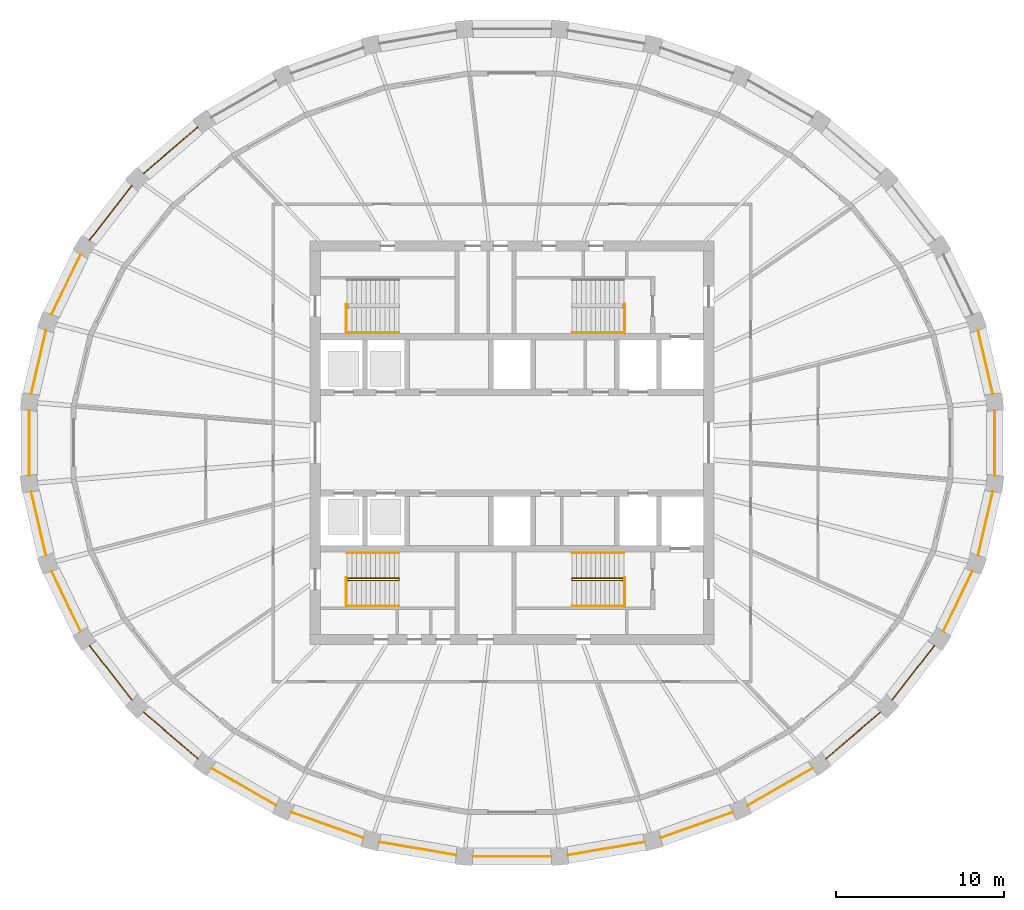
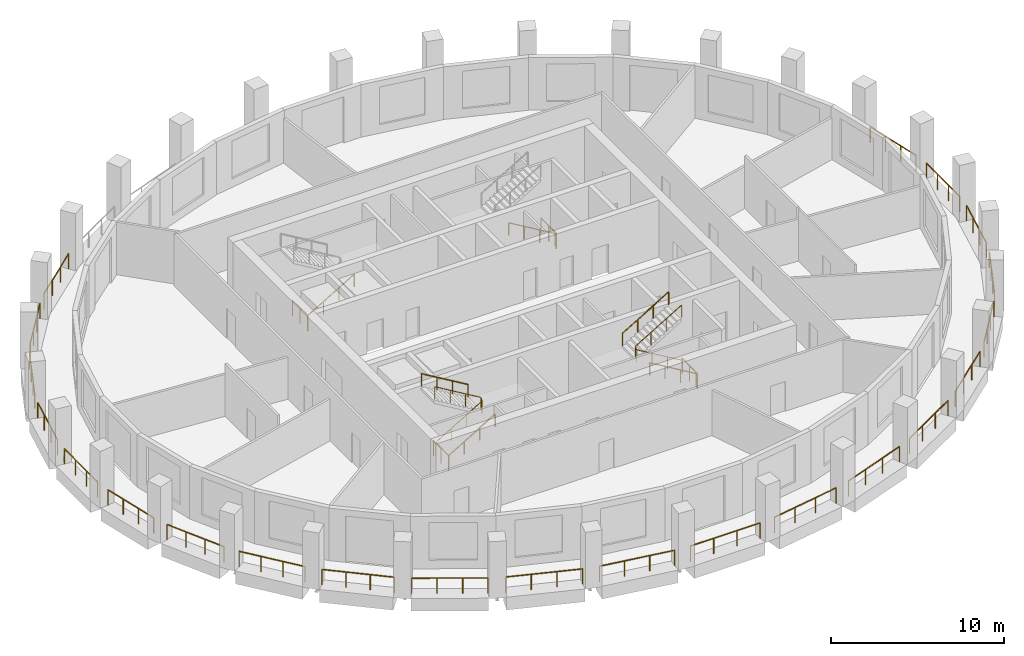
# One storey, part 8 of 10: 34 railings.
"""IFC4 building model written with IfcOpenShell, lengths in metres."""

from ifc_helpers import new_model, si_unit, direction, frame, origin, origin_2d, place, context, subcontext, project, spatial, circle, extrude, material, type_object, element, save


model = new_model("IFC4")

# Units and contexts
model_context = context("Model", 3, precision=1e-05, world=origin(), true_north=direction((0.0, 1.0)))
body_context = subcontext(model_context, "Body", "Model", "MODEL_VIEW")
ifc_project = project(units=[si_unit("LENGTHUNIT", "METRE"), si_unit("AREAUNIT", "SQUARE_METRE"), si_unit("VOLUMEUNIT", "CUBIC_METRE"), si_unit("PLANEANGLEUNIT", "RADIAN"), si_unit("MASSUNIT", "GRAM", prefix="KILO")], contexts=[model_context])

# Site, building, storey
site_placement = place(None, origin())
site = spatial("IfcSite", under=ifc_project, at=site_placement, CompositionType="ELEMENT")
building_placement = place(site_placement, origin())
building = spatial("IfcBuilding", under=site, at=building_placement, Name="Halqa Exchange Tower", CompositionType="ELEMENT")
storey_placement = place(building_placement, frame((0.0, 0.0, 308.300048828125)))
storey = spatial("IfcBuildingStorey", under=building, at=storey_placement, Name="L72", CompositionType="ELEMENT", Elevation=308.300048828125)

# Railings
ifc_material = material(Name="Stainless steel", Category="steel")
railing_type_1 = type_object("IfcRailingType", Name="Guard 1100 stainless steel", PredefinedType="GUARDRAIL", material=ifc_material)
railing_1_placement = place(storey_placement, frame((28.590087890625, 2.910400390625, 0.0)))
element("IfcRailing", 1, at=railing_1_placement, inside=storey, type_object=railing_type_1, Name="Loggia guard 1", PredefinedType="GUARDRAIL", context=body_context, shape_type="SweptSolid", body=[
    extrude(circle(Radius=0.02392578125, at=origin_2d()), frame((0.0, 0.0, 1.076171875), z_axis=(-0.226063591291, 0.974112546215, 0.0), x_axis=(-0.974112546215, -0.226063591291, 0.0)), (0.0, 0.0, 1.0), 3.879150390625),
    extrude(circle(Radius=0.02099609375, at=origin_2d()), origin(), (0.0, 0.0, 1.0), 1.052001953125),
    extrude(circle(Radius=0.02099609375, at=origin_2d()), frame((-0.292236328125, 1.259521484375, 0.0)), (0.0, 0.0, 1.0), 1.052001953125),
    extrude(circle(Radius=0.02099609375, at=origin_2d()), frame((-0.584716796875, 2.519287109375, 0.0)), (0.0, 0.0, 1.0), 1.052001953125),
    extrude(circle(Radius=0.02099609375, at=origin_2d()), frame((-0.876953125, 3.77880859375, 0.0)), (0.0, 0.0, 1.0), 1.052001953125),
])
railing_2_placement = place(storey_placement, frame((-18.6767578125, 18.784912109375, 0.0)))
element("IfcRailing", 2, at=railing_2_placement, inside=storey, type_object=railing_type_1, Name="Loggia guard 12", PredefinedType="GUARDRAIL", context=body_context, shape_type="SweptSolid", body=[
    extrude(circle(Radius=0.02392578125, at=origin_2d()), frame((0.0, 0.0, 1.076171875), z_axis=(-0.759252562376, -0.650796086747, 0.0), x_axis=(0.650796086747, -0.759252562376, 0.0)), (0.0, 0.0, 1.0), 4.265625),
    extrude(circle(Radius=0.02099609375, at=origin_2d()), origin(), (0.0, 0.0, 1.0), 1.052001953125),
    extrude(circle(Radius=0.02099609375, at=origin_2d()), frame((-1.07958984375, -0.92529296875, 0.0)), (0.0, 0.0, 1.0), 1.052001953125),
    extrude(circle(Radius=0.02099609375, at=origin_2d()), frame((-2.1591796875, -1.850830078125, 0.0)), (0.0, 0.0, 1.0), 1.052001953125),
    extrude(circle(Radius=0.02099609375, at=origin_2d()), frame((-3.23876953125, -2.776123046875, 0.0)), (0.0, 0.0, 1.0), 1.052001953125),
])
railing_3_placement = place(storey_placement, frame((-22.6025390625, 15.2890625, 0.0)))
element("IfcRailing", 3, at=railing_3_placement, inside=storey, type_object=railing_type_1, Name="Loggia guard 13", PredefinedType="GUARDRAIL", context=body_context, shape_type="SweptSolid", body=[
    extrude(circle(Radius=0.02392578125, at=origin_2d()), frame((0.0, 0.0, 1.076171875), z_axis=(-0.614828624777, -0.78866073958, 0.0), x_axis=(0.78866073958, -0.614828624777, 0.0)), (0.0, 0.0, 1.0), 4.109375),
    extrude(circle(Radius=0.02099609375, at=origin_2d()), origin(), (0.0, 0.0, 1.0), 1.052001953125),
    extrude(circle(Radius=0.02099609375, at=origin_2d()), frame((-0.84228515625, -1.080322265625, 0.0)), (0.0, 0.0, 1.0), 1.052001953125),
    extrude(circle(Radius=0.02099609375, at=origin_2d()), frame((-1.684326171875, -2.16064453125, 0.0)), (0.0, 0.0, 1.0), 1.052001953125),
    extrude(circle(Radius=0.02099609375, at=origin_2d()), frame((-2.526611328125, -3.240966796875, 0.0)), (0.0, 0.0, 1.0), 1.052001953125),
])
railing_4_placement = place(storey_placement, frame((-25.654052734375, 11.20361328125, 0.0)))
element("IfcRailing", 4, at=railing_4_placement, inside=storey, type_object=railing_type_1, Name="Loggia guard 14", PredefinedType="GUARDRAIL", context=body_context, shape_type="SweptSolid", body=[
    extrude(circle(Radius=0.02392578125, at=origin_2d()), frame((0.0, 0.0, 1.076171875), z_axis=(-0.435103066542, -0.90038065366, 0.0), x_axis=(0.90038065366, -0.435103066542, 0.0)), (0.0, 0.0, 1.0), 3.97265625),
    extrude(circle(Radius=0.02099609375, at=origin_2d()), origin(), (0.0, 0.0, 1.0), 1.052001953125),
    extrude(circle(Radius=0.02099609375, at=origin_2d()), frame((-0.576171875, -1.1923828125, 0.0)), (0.0, 0.0, 1.0), 1.052001953125),
    extrude(circle(Radius=0.02099609375, at=origin_2d()), frame((-1.15234375, -2.384521484375, 0.0)), (0.0, 0.0, 1.0), 1.052001953125),
    extrude(circle(Radius=0.02099609375, at=origin_2d()), frame((-1.728515625, -3.576904296875, 0.0)), (0.0, 0.0, 1.0), 1.052001953125),
])
railing_5_placement = place(storey_placement, frame((-27.713134765625, 6.689208984375, 0.0)))
element("IfcRailing", 5, at=railing_5_placement, inside=storey, type_object=railing_type_1, Name="Loggia guard 15", PredefinedType="GUARDRAIL", context=body_context, shape_type="SweptSolid", body=[
    extrude(circle(Radius=0.02392578125, at=origin_2d()), frame((0.0, 0.0, 1.076171875), z_axis=(-0.226063591291, -0.974112546215, 0.0), x_axis=(0.974112546215, -0.226063591291, 0.0)), (0.0, 0.0, 1.0), 3.879150390625),
    extrude(circle(Radius=0.02099609375, at=origin_2d()), origin(), (0.0, 0.0, 1.0), 1.052001953125),
    extrude(circle(Radius=0.02099609375, at=origin_2d()), frame((-0.292236328125, -1.259521484375, 0.0)), (0.0, 0.0, 1.0), 1.052001953125),
    extrude(circle(Radius=0.02099609375, at=origin_2d()), frame((-0.584716796875, -2.519287109375, 0.0)), (0.0, 0.0, 1.0), 1.052001953125),
    extrude(circle(Radius=0.02099609375, at=origin_2d()), frame((-0.876953125, -3.77880859375, 0.0)), (0.0, 0.0, 1.0), 1.052001953125),
])
railing_6_placement = place(storey_placement, frame((-28.703125, 1.923095703125, 0.0)))
element("IfcRailing", 6, at=railing_6_placement, inside=storey, type_object=railing_type_1, Name="Loggia guard 16", PredefinedType="GUARDRAIL", context=body_context, shape_type="SweptSolid", body=[
    extrude(circle(Radius=0.02392578125, at=origin_2d()), frame((0.0, 0.0, 1.076171875), z_axis=(0.0, -1.0, 0.0), x_axis=(1.0, 0.0, 0.0)), (0.0, 0.0, 1.0), 3.84619140625),
    extrude(circle(Radius=0.02099609375, at=origin_2d()), origin(), (0.0, 0.0, 1.0), 1.052001953125),
    extrude(circle(Radius=0.02099609375, at=origin_2d()), frame((0.0, -1.281982421875, 0.0)), (0.0, 0.0, 1.0), 1.052001953125),
    extrude(circle(Radius=0.02099609375, at=origin_2d()), frame((0.0, -2.564208984375, 0.0)), (0.0, 0.0, 1.0), 1.052001953125),
    extrude(circle(Radius=0.02099609375, at=origin_2d()), frame((0.0, -3.84619140625, 0.0)), (0.0, 0.0, 1.0), 1.052001953125),
])
railing_7_placement = place(storey_placement, frame((-28.590087890625, -2.910400390625, 0.0)))
element("IfcRailing", 7, at=railing_7_placement, inside=storey, type_object=railing_type_1, Name="Loggia guard 17", PredefinedType="GUARDRAIL", context=body_context, shape_type="SweptSolid", body=[
    extrude(circle(Radius=0.02392578125, at=origin_2d()), frame((0.0, 0.0, 1.076171875), z_axis=(0.226063591291, -0.974112546215, 0.0), x_axis=(0.974112546215, 0.226063591291, 0.0)), (0.0, 0.0, 1.0), 3.879150390625),
    extrude(circle(Radius=0.02099609375, at=origin_2d()), origin(), (0.0, 0.0, 1.0), 1.052001953125),
    extrude(circle(Radius=0.02099609375, at=origin_2d()), frame((0.292236328125, -1.259521484375, 0.0)), (0.0, 0.0, 1.0), 1.052001953125),
    extrude(circle(Radius=0.02099609375, at=origin_2d()), frame((0.584716796875, -2.519287109375, 0.0)), (0.0, 0.0, 1.0), 1.052001953125),
    extrude(circle(Radius=0.02099609375, at=origin_2d()), frame((0.876953125, -3.77880859375, 0.0)), (0.0, 0.0, 1.0), 1.052001953125),
])
railing_8_placement = place(storey_placement, frame((-27.382568359375, -7.626708984375, 0.0)))
element("IfcRailing", 8, at=railing_8_placement, inside=storey, type_object=railing_type_1, Name="Loggia guard 18", PredefinedType="GUARDRAIL", context=body_context, shape_type="SweptSolid", body=[
    extrude(circle(Radius=0.02392578125, at=origin_2d()), frame((0.0, 0.0, 1.076171875), z_axis=(0.435103066542, -0.90038065366, 0.0), x_axis=(0.90038065366, 0.435103066542, 0.0)), (0.0, 0.0, 1.0), 3.97265625),
    extrude(circle(Radius=0.02099609375, at=origin_2d()), origin(), (0.0, 0.0, 1.0), 1.052001953125),
    extrude(circle(Radius=0.02099609375, at=origin_2d()), frame((0.576171875, -1.1923828125, 0.0)), (0.0, 0.0, 1.0), 1.052001953125),
    extrude(circle(Radius=0.02099609375, at=origin_2d()), frame((1.15234375, -2.384521484375, 0.0)), (0.0, 0.0, 1.0), 1.052001953125),
    extrude(circle(Radius=0.02099609375, at=origin_2d()), frame((1.728515625, -3.576904296875, 0.0)), (0.0, 0.0, 1.0), 1.052001953125),
])
railing_9_placement = place(storey_placement, frame((-25.129150390625, -12.048095703125, 0.0)))
element("IfcRailing", 9, at=railing_9_placement, inside=storey, type_object=railing_type_1, Name="Loggia guard 19", PredefinedType="GUARDRAIL", context=body_context, shape_type="SweptSolid", body=[
    extrude(circle(Radius=0.02392578125, at=origin_2d()), frame((0.0, 0.0, 1.076171875), z_axis=(0.614828624777, -0.78866073958, 0.0), x_axis=(0.78866073958, 0.614828624777, 0.0)), (0.0, 0.0, 1.0), 4.109375),
    extrude(circle(Radius=0.02099609375, at=origin_2d()), origin(), (0.0, 0.0, 1.0), 1.052001953125),
    extrude(circle(Radius=0.02099609375, at=origin_2d()), frame((0.84228515625, -1.080322265625, 0.0)), (0.0, 0.0, 1.0), 1.052001953125),
    extrude(circle(Radius=0.02099609375, at=origin_2d()), frame((1.684326171875, -2.16064453125, 0.0)), (0.0, 0.0, 1.0), 1.052001953125),
    extrude(circle(Radius=0.02099609375, at=origin_2d()), frame((2.526611328125, -3.240966796875, 0.0)), (0.0, 0.0, 1.0), 1.052001953125),
])
railing_10_placement = place(storey_placement, frame((-21.91552734375, -16.0087890625, 0.0)))
element("IfcRailing", 10, at=railing_10_placement, inside=storey, type_object=railing_type_1, Name="Loggia guard 20", PredefinedType="GUARDRAIL", context=body_context, shape_type="SweptSolid", body=[
    extrude(circle(Radius=0.02392578125, at=origin_2d()), frame((0.0, 0.0, 1.076171875), z_axis=(0.759252562376, -0.650796086747, 0.0), x_axis=(0.650796086747, 0.759252562376, 0.0)), (0.0, 0.0, 1.0), 4.265625),
    extrude(circle(Radius=0.02099609375, at=origin_2d()), origin(), (0.0, 0.0, 1.0), 1.052001953125),
    extrude(circle(Radius=0.02099609375, at=origin_2d()), frame((1.07958984375, -0.92529296875, 0.0)), (0.0, 0.0, 1.0), 1.052001953125),
    extrude(circle(Radius=0.02099609375, at=origin_2d()), frame((2.1591796875, -1.850830078125, 0.0)), (0.0, 0.0, 1.0), 1.052001953125),
    extrude(circle(Radius=0.02099609375, at=origin_2d()), frame((3.23876953125, -2.776123046875, 0.0)), (0.0, 0.0, 1.0), 1.052001953125),
])
railing_11_placement = place(storey_placement, frame((-17.86328125, -19.358642578125, 0.0)))
element("IfcRailing", 11, at=railing_11_placement, inside=storey, type_object=railing_type_1, Name="Loggia guard 21", PredefinedType="GUARDRAIL", context=body_context, shape_type="SweptSolid", body=[
    extrude(circle(Radius=0.02392578125, at=origin_2d()), frame((0.0, 0.0, 1.076171875), z_axis=(0.867742750066, -0.49701360113, 0.0), x_axis=(0.49701360113, 0.867742750066, 0.0)), (0.0, 0.0, 1.0), 4.41748046875),
    extrude(circle(Radius=0.02099609375, at=origin_2d()), origin(), (0.0, 0.0, 1.0), 1.052001953125),
    extrude(circle(Radius=0.02099609375, at=origin_2d()), frame((1.27783203125, -0.73193359375, 0.0)), (0.0, 0.0, 1.0), 1.052001953125),
    extrude(circle(Radius=0.02099609375, at=origin_2d()), frame((2.555419921875, -1.463623046875, 0.0)), (0.0, 0.0, 1.0), 1.052001953125),
    extrude(circle(Radius=0.02099609375, at=origin_2d()), frame((3.833251953125, -2.195556640625, 0.0)), (0.0, 0.0, 1.0), 1.052001953125),
])
railing_12_placement = place(storey_placement, frame((-13.125, -21.969970703125, 0.0)))
element("IfcRailing", 12, at=railing_12_placement, inside=storey, type_object=railing_type_1, Name="Loggia guard 22", PredefinedType="GUARDRAIL", context=body_context, shape_type="SweptSolid", body=[
    extrude(circle(Radius=0.02392578125, at=origin_2d()), frame((0.0, 0.0, 1.076171875), z_axis=(0.9423736492, -0.334562259219, 0.0), x_axis=(0.334562259219, 0.9423736492, 0.0)), (0.0, 0.0, 1.0), 4.543212890625),
    extrude(circle(Radius=0.02099609375, at=origin_2d()), origin(), (0.0, 0.0, 1.0), 1.052001953125),
    extrude(circle(Radius=0.02099609375, at=origin_2d()), frame((1.42724609375, -0.506591796875, 0.0)), (0.0, 0.0, 1.0), 1.052001953125),
    extrude(circle(Radius=0.02099609375, at=origin_2d()), frame((2.854248046875, -1.013427734375, 0.0)), (0.0, 0.0, 1.0), 1.052001953125),
    extrude(circle(Radius=0.02099609375, at=origin_2d()), frame((4.281494140625, -1.52001953125, 0.0)), (0.0, 0.0, 1.0), 1.052001953125),
])
railing_13_placement = place(storey_placement, frame((-7.87939453125, -23.7412109375, 0.0)))
element("IfcRailing", 13, at=railing_13_placement, inside=storey, type_object=railing_type_1, Name="Loggia guard 23", PredefinedType="GUARDRAIL", context=body_context, shape_type="SweptSolid", body=[
    extrude(circle(Radius=0.02392578125, at=origin_2d()), frame((0.0, 0.0, 1.076171875), z_axis=(0.985767803326, -0.168112575155, 0.0), x_axis=(0.168112575155, 0.985767803326, 0.0)), (0.0, 0.0, 1.0), 4.62548828125),
    extrude(circle(Radius=0.02099609375, at=origin_2d()), origin(), (0.0, 0.0, 1.0), 1.052001953125),
    extrude(circle(Radius=0.02099609375, at=origin_2d()), frame((1.519775390625, -0.25927734375, 0.0)), (0.0, 0.0, 1.0), 1.052001953125),
    extrude(circle(Radius=0.02099609375, at=origin_2d()), frame((3.039794921875, -0.518310546875, 0.0)), (0.0, 0.0, 1.0), 1.052001953125),
    extrude(circle(Radius=0.02099609375, at=origin_2d()), frame((4.5595703125, -0.777587890625, 0.0)), (0.0, 0.0, 1.0), 1.052001953125),
])
railing_14_placement = place(storey_placement, frame((-2.326904296875, -24.602783203125, 0.0)))
element("IfcRailing", 14, at=railing_14_placement, inside=storey, type_object=railing_type_1, Name="Loggia guard 24", PredefinedType="GUARDRAIL", context=body_context, shape_type="SweptSolid", body=[
    extrude(circle(Radius=0.02392578125, at=origin_2d()), frame((0.0, 0.0, 1.076171875), z_axis=(1.0, 0.0, 0.0), x_axis=(0.0, 1.0, 0.0)), (0.0, 0.0, 1.0), 4.65380859375),
    extrude(circle(Radius=0.02099609375, at=origin_2d()), origin(), (0.0, 0.0, 1.0), 1.052001953125),
    extrude(circle(Radius=0.02099609375, at=origin_2d()), frame((1.55126953125, 0.0, 0.0)), (0.0, 0.0, 1.0), 1.052001953125),
    extrude(circle(Radius=0.02099609375, at=origin_2d()), frame((3.1025390625, 0.0, 0.0)), (0.0, 0.0, 1.0), 1.052001953125),
    extrude(circle(Radius=0.02099609375, at=origin_2d()), frame((4.65380859375, 0.0, 0.0)), (0.0, 0.0, 1.0), 1.052001953125),
])
railing_15_placement = place(storey_placement, frame((3.31982421875, -24.518798828125, 0.0)))
element("IfcRailing", 15, at=railing_15_placement, inside=storey, type_object=railing_type_1, Name="Loggia guard 25", PredefinedType="GUARDRAIL", context=body_context, shape_type="SweptSolid", body=[
    extrude(circle(Radius=0.02392578125, at=origin_2d()), frame((0.0, 0.0, 1.076171875), z_axis=(0.985767803326, 0.168112575155, 0.0), x_axis=(-0.168112575155, 0.985767803326, 0.0)), (0.0, 0.0, 1.0), 4.62548828125),
    extrude(circle(Radius=0.02099609375, at=origin_2d()), origin(), (0.0, 0.0, 1.0), 1.052001953125),
    extrude(circle(Radius=0.02099609375, at=origin_2d()), frame((1.519775390625, 0.25927734375, 0.0)), (0.0, 0.0, 1.0), 1.052001953125),
    extrude(circle(Radius=0.02099609375, at=origin_2d()), frame((3.039794921875, 0.518310546875, 0.0)), (0.0, 0.0, 1.0), 1.052001953125),
    extrude(circle(Radius=0.02099609375, at=origin_2d()), frame((4.5595703125, 0.777587890625, 0.0)), (0.0, 0.0, 1.0), 1.052001953125),
])
railing_16_placement = place(storey_placement, frame((8.843505859375, -23.489990234375, 0.0)))
element("IfcRailing", 16, at=railing_16_placement, inside=storey, type_object=railing_type_1, Name="Loggia guard 26", PredefinedType="GUARDRAIL", context=body_context, shape_type="SweptSolid", body=[
    extrude(circle(Radius=0.02392578125, at=origin_2d()), frame((0.0, 0.0, 1.076171875), z_axis=(0.9423736492, 0.334562259219, 0.0), x_axis=(-0.334562259219, 0.9423736492, 0.0)), (0.0, 0.0, 1.0), 4.543212890625),
    extrude(circle(Radius=0.02099609375, at=origin_2d()), origin(), (0.0, 0.0, 1.0), 1.052001953125),
    extrude(circle(Radius=0.02099609375, at=origin_2d()), frame((1.42724609375, 0.506591796875, 0.0)), (0.0, 0.0, 1.0), 1.052001953125),
    extrude(circle(Radius=0.02099609375, at=origin_2d()), frame((2.854248046875, 1.013427734375, 0.0)), (0.0, 0.0, 1.0), 1.052001953125),
    extrude(circle(Radius=0.02099609375, at=origin_2d()), frame((4.281494140625, 1.52001953125, 0.0)), (0.0, 0.0, 1.0), 1.052001953125),
])
railing_17_placement = place(storey_placement, frame((14.030029296875, -21.55419921875, 0.0)))
element("IfcRailing", 17, at=railing_17_placement, inside=storey, type_object=railing_type_1, Name="Loggia guard 27", PredefinedType="GUARDRAIL", context=body_context, shape_type="SweptSolid", body=[
    extrude(circle(Radius=0.02392578125, at=origin_2d()), frame((0.0, 0.0, 1.076171875), z_axis=(0.867742750066, 0.49701360113, 0.0), x_axis=(-0.49701360113, 0.867742750066, 0.0)), (0.0, 0.0, 1.0), 4.41748046875),
    extrude(circle(Radius=0.02099609375, at=origin_2d()), origin(), (0.0, 0.0, 1.0), 1.052001953125),
    extrude(circle(Radius=0.02099609375, at=origin_2d()), frame((1.27783203125, 0.73193359375, 0.0)), (0.0, 0.0, 1.0), 1.052001953125),
    extrude(circle(Radius=0.02099609375, at=origin_2d()), frame((2.555419921875, 1.463623046875, 0.0)), (0.0, 0.0, 1.0), 1.052001953125),
    extrude(circle(Radius=0.02099609375, at=origin_2d()), frame((3.833251953125, 2.195556640625, 0.0)), (0.0, 0.0, 1.0), 1.052001953125),
])
railing_18_placement = place(storey_placement, frame((18.6767578125, -18.784912109375, 0.0)))
element("IfcRailing", 18, at=railing_18_placement, inside=storey, type_object=railing_type_1, Name="Loggia guard 28", PredefinedType="GUARDRAIL", context=body_context, shape_type="SweptSolid", body=[
    extrude(circle(Radius=0.02392578125, at=origin_2d()), frame((0.0, 0.0, 1.076171875), z_axis=(0.759252562376, 0.650796086747, 0.0), x_axis=(-0.650796086747, 0.759252562376, 0.0)), (0.0, 0.0, 1.0), 4.265625),
    extrude(circle(Radius=0.02099609375, at=origin_2d()), origin(), (0.0, 0.0, 1.0), 1.052001953125),
    extrude(circle(Radius=0.02099609375, at=origin_2d()), frame((1.07958984375, 0.92529296875, 0.0)), (0.0, 0.0, 1.0), 1.052001953125),
    extrude(circle(Radius=0.02099609375, at=origin_2d()), frame((2.1591796875, 1.850830078125, 0.0)), (0.0, 0.0, 1.0), 1.052001953125),
    extrude(circle(Radius=0.02099609375, at=origin_2d()), frame((3.23876953125, 2.776123046875, 0.0)), (0.0, 0.0, 1.0), 1.052001953125),
])
railing_19_placement = place(storey_placement, frame((22.6025390625, -15.2890625, 0.0)))
element("IfcRailing", 19, at=railing_19_placement, inside=storey, type_object=railing_type_1, Name="Loggia guard 29", PredefinedType="GUARDRAIL", context=body_context, shape_type="SweptSolid", body=[
    extrude(circle(Radius=0.02392578125, at=origin_2d()), frame((0.0, 0.0, 1.076171875), z_axis=(0.614828624777, 0.78866073958, 0.0), x_axis=(-0.78866073958, 0.614828624777, 0.0)), (0.0, 0.0, 1.0), 4.109375),
    extrude(circle(Radius=0.02099609375, at=origin_2d()), origin(), (0.0, 0.0, 1.0), 1.052001953125),
    extrude(circle(Radius=0.02099609375, at=origin_2d()), frame((0.84228515625, 1.080322265625, 0.0)), (0.0, 0.0, 1.0), 1.052001953125),
    extrude(circle(Radius=0.02099609375, at=origin_2d()), frame((1.684326171875, 2.16064453125, 0.0)), (0.0, 0.0, 1.0), 1.052001953125),
    extrude(circle(Radius=0.02099609375, at=origin_2d()), frame((2.526611328125, 3.240966796875, 0.0)), (0.0, 0.0, 1.0), 1.052001953125),
])
railing_20_placement = place(storey_placement, frame((25.654052734375, -11.20361328125, 0.0)))
element("IfcRailing", 20, at=railing_20_placement, inside=storey, type_object=railing_type_1, Name="Loggia guard 30", PredefinedType="GUARDRAIL", context=body_context, shape_type="SweptSolid", body=[
    extrude(circle(Radius=0.02392578125, at=origin_2d()), frame((0.0, 0.0, 1.076171875), z_axis=(0.435103066542, 0.90038065366, 0.0), x_axis=(-0.90038065366, 0.435103066542, 0.0)), (0.0, 0.0, 1.0), 3.97265625),
    extrude(circle(Radius=0.02099609375, at=origin_2d()), origin(), (0.0, 0.0, 1.0), 1.052001953125),
    extrude(circle(Radius=0.02099609375, at=origin_2d()), frame((0.576171875, 1.1923828125, 0.0)), (0.0, 0.0, 1.0), 1.052001953125),
    extrude(circle(Radius=0.02099609375, at=origin_2d()), frame((1.15234375, 2.384521484375, 0.0)), (0.0, 0.0, 1.0), 1.052001953125),
    extrude(circle(Radius=0.02099609375, at=origin_2d()), frame((1.728515625, 3.576904296875, 0.0)), (0.0, 0.0, 1.0), 1.052001953125),
])
railing_21_placement = place(storey_placement, frame((27.713134765625, -6.689208984375, 0.0)))
element("IfcRailing", 21, at=railing_21_placement, inside=storey, type_object=railing_type_1, Name="Loggia guard 31", PredefinedType="GUARDRAIL", context=body_context, shape_type="SweptSolid", body=[
    extrude(circle(Radius=0.02392578125, at=origin_2d()), frame((0.0, 0.0, 1.076171875), z_axis=(0.226063591291, 0.974112546215, 0.0), x_axis=(-0.974112546215, 0.226063591291, 0.0)), (0.0, 0.0, 1.0), 3.879150390625),
    extrude(circle(Radius=0.02099609375, at=origin_2d()), origin(), (0.0, 0.0, 1.0), 1.052001953125),
    extrude(circle(Radius=0.02099609375, at=origin_2d()), frame((0.292236328125, 1.259521484375, 0.0)), (0.0, 0.0, 1.0), 1.052001953125),
    extrude(circle(Radius=0.02099609375, at=origin_2d()), frame((0.584716796875, 2.519287109375, 0.0)), (0.0, 0.0, 1.0), 1.052001953125),
    extrude(circle(Radius=0.02099609375, at=origin_2d()), frame((0.876953125, 3.77880859375, 0.0)), (0.0, 0.0, 1.0), 1.052001953125),
])
railing_22_placement = place(storey_placement, frame((28.703125, -1.923095703125, 0.0)))
element("IfcRailing", 22, at=railing_22_placement, inside=storey, type_object=railing_type_1, Name="Loggia guard 32", PredefinedType="GUARDRAIL", context=body_context, shape_type="SweptSolid", body=[
    extrude(circle(Radius=0.02392578125, at=origin_2d()), frame((0.0, 0.0, 1.076171875), z_axis=(0.0, 1.0, 0.0), x_axis=(-1.0, 0.0, 0.0)), (0.0, 0.0, 1.0), 3.84619140625),
    extrude(circle(Radius=0.02099609375, at=origin_2d()), origin(), (0.0, 0.0, 1.0), 1.052001953125),
    extrude(circle(Radius=0.02099609375, at=origin_2d()), frame((0.0, 1.281982421875, 0.0)), (0.0, 0.0, 1.0), 1.052001953125),
    extrude(circle(Radius=0.02099609375, at=origin_2d()), frame((0.0, 2.564208984375, 0.0)), (0.0, 0.0, 1.0), 1.052001953125),
    extrude(circle(Radius=0.02099609375, at=origin_2d()), frame((0.0, 3.84619140625, 0.0)), (0.0, 0.0, 1.0), 1.052001953125),
])
railing_type_2 = type_object("IfcRailingType", Name="Stair handrail 900", PredefinedType="HANDRAIL", material=ifc_material)
railing_23_placement = place(storey_placement, frame((-9.800048828125, 6.550048828125, 0.166748046875)))
element("IfcRailing", 23, at=railing_23_placement, inside=storey, type_object=railing_type_2, Name="Handrail ST1.2", PredefinedType="HANDRAIL", context=body_context, shape_type="SweptSolid", body=[
    extrude(circle(Radius=0.02392578125, at=origin_2d()), frame((0.0, 0.0, 0.8759765625), z_axis=(0.859308565015, 0.0, 0.511457515432), x_axis=(0.0, 1.0, 0.0)), (0.0, 0.0, 1.0), 3.58447265625),
    extrude(circle(Radius=0.02099609375, at=origin_2d()), origin(), (0.0, 0.0, 1.0), 0.851806640625),
    extrude(circle(Radius=0.02099609375, at=origin_2d()), frame((1.026611328125, 0.0, 0.611083984375)), (0.0, 0.0, 1.0), 0.851806640625),
    extrude(circle(Radius=0.02099609375, at=origin_2d()), frame((2.053466796875, 0.0, 1.22216796875)), (0.0, 0.0, 1.0), 0.851806640625),
    extrude(circle(Radius=0.02099609375, at=origin_2d()), frame((3.080078125, 0.0, 1.833251953125)), (0.0, 0.0, 1.0), 0.851806640625),
])
railing_24_placement = place(storey_placement, frame((6.64990234375, 6.550048828125, 0.166748046875)))
element("IfcRailing", 24, at=railing_24_placement, inside=storey, type_object=railing_type_2, Name="Handrail ST2.2", PredefinedType="HANDRAIL", context=body_context, shape_type="SweptSolid", body=[
    extrude(circle(Radius=0.02392578125, at=origin_2d()), frame((0.0, 0.0, 0.8759765625), z_axis=(-0.859290745958, 0.0, 0.51148745235), x_axis=(0.0, -1.0, 0.0)), (0.0, 0.0, 1.0), 3.584228515625),
    extrude(circle(Radius=0.02099609375, at=origin_2d()), origin(), (0.0, 0.0, 1.0), 0.851806640625),
    extrude(circle(Radius=0.02099609375, at=origin_2d()), frame((-1.026611328125, 0.0, 0.611083984375)), (0.0, 0.0, 1.0), 0.851806640625),
    extrude(circle(Radius=0.02099609375, at=origin_2d()), frame((-2.05322265625, 0.0, 1.22216796875)), (0.0, 0.0, 1.0), 0.851806640625),
    extrude(circle(Radius=0.02099609375, at=origin_2d()), frame((-3.079833984375, 0.0, 1.833251953125)), (0.0, 0.0, 1.0), 0.851806640625),
])
railing_25_placement = place(storey_placement, frame((-9.800048828125, -8.18994140625, 0.166748046875)))
element("IfcRailing", 25, at=railing_25_placement, inside=storey, type_object=railing_type_2, Name="Handrail ST3.1", PredefinedType="HANDRAIL", context=body_context, shape_type="SweptSolid", body=[
    extrude(circle(Radius=0.02392578125, at=origin_2d()), frame((0.0, 0.0, 0.8759765625), z_axis=(0.859308565015, 0.0, 0.511457515432), x_axis=(0.0, 1.0, 0.0)), (0.0, 0.0, 1.0), 3.58447265625),
    extrude(circle(Radius=0.02392578125, at=origin_2d()), frame((3.080078125, 0.0, 2.708984375), z_axis=(0.0, 0.614500226555, 0.788916644243), x_axis=(-1.0, 0.0, 0.0)), (0.0, 0.0, 1.0), 0.21142578125),
    extrude(circle(Radius=0.02392578125, at=origin_2d()), frame((3.080078125, 0.1298828125, 2.8759765625), z_axis=(-0.859308565015, 0.0, 0.511457515432), x_axis=(0.0, -1.0, 0.0)), (0.0, 0.0, 1.0), 3.58447265625),
    extrude(circle(Radius=0.02099609375, at=origin_2d()), origin(), (0.0, 0.0, 1.0), 0.851806640625),
    extrude(circle(Radius=0.02099609375, at=origin_2d()), frame((1.026611328125, 0.0, 0.611083984375)), (0.0, 0.0, 1.0), 0.851806640625),
    extrude(circle(Radius=0.02099609375, at=origin_2d()), frame((2.053466796875, 0.0, 1.22216796875)), (0.0, 0.0, 1.0), 0.851806640625),
    extrude(circle(Radius=0.02099609375, at=origin_2d()), frame((3.080078125, 0.0, 1.833251953125)), (0.0, 0.0, 1.0), 0.851806640625),
    extrude(circle(Radius=0.02099609375, at=origin_2d()), frame((3.080078125, 0.1298828125, 2.0)), (0.0, 0.0, 1.0), 0.851806640625),
    extrude(circle(Radius=0.02099609375, at=origin_2d()), frame((2.053466796875, 0.1298828125, 2.611083984375)), (0.0, 0.0, 1.0), 0.851806640625),
    extrude(circle(Radius=0.02099609375, at=origin_2d()), frame((1.026611328125, 0.1298828125, 3.22216796875)), (0.0, 0.0, 1.0), 0.851806640625),
    extrude(circle(Radius=0.02099609375, at=origin_2d()), frame((0.0, 0.1298828125, 3.833251953125)), (0.0, 0.0, 1.0), 0.851806640625),
])
railing_26_placement = place(storey_placement, frame((-9.800048828125, -9.699951171875, 0.166748046875)))
element("IfcRailing", 26, at=railing_26_placement, inside=storey, type_object=railing_type_2, Name="Handrail ST3.2", PredefinedType="HANDRAIL", context=body_context, shape_type="SweptSolid", body=[
    extrude(circle(Radius=0.02392578125, at=origin_2d()), frame((0.0, 0.0, 0.8759765625), z_axis=(0.859308565015, 0.0, 0.511457515432), x_axis=(0.0, 1.0, 0.0)), (0.0, 0.0, 1.0), 3.58447265625),
    extrude(circle(Radius=0.02099609375, at=origin_2d()), origin(), (0.0, 0.0, 1.0), 0.851806640625),
    extrude(circle(Radius=0.02099609375, at=origin_2d()), frame((1.026611328125, 0.0, 0.611083984375)), (0.0, 0.0, 1.0), 0.851806640625),
    extrude(circle(Radius=0.02099609375, at=origin_2d()), frame((2.053466796875, 0.0, 1.22216796875)), (0.0, 0.0, 1.0), 0.851806640625),
    extrude(circle(Radius=0.02099609375, at=origin_2d()), frame((3.080078125, 0.0, 1.833251953125)), (0.0, 0.0, 1.0), 0.851806640625),
])
railing_27_placement = place(storey_placement, frame((-6.719970703125, -6.550048828125, 2.166748046875)))
element("IfcRailing", 27, at=railing_27_placement, inside=storey, type_object=railing_type_2, Name="Handrail ST3.3", PredefinedType="HANDRAIL", context=body_context, shape_type="SweptSolid", body=[
    extrude(circle(Radius=0.02392578125, at=origin_2d()), frame((0.0, 0.0, 0.8759765625), z_axis=(-0.859308565015, 0.0, 0.511457515432), x_axis=(0.0, -1.0, 0.0)), (0.0, 0.0, 1.0), 3.58447265625),
    extrude(circle(Radius=0.02099609375, at=origin_2d()), origin(), (0.0, 0.0, 1.0), 0.851806640625),
    extrude(circle(Radius=0.02099609375, at=origin_2d()), frame((-1.026611328125, 0.0, 0.611083984375)), (0.0, 0.0, 1.0), 0.851806640625),
    extrude(circle(Radius=0.02099609375, at=origin_2d()), frame((-2.053466796875, 0.0, 1.22216796875)), (0.0, 0.0, 1.0), 0.851806640625),
    extrude(circle(Radius=0.02099609375, at=origin_2d()), frame((-3.080078125, 0.0, 1.833251953125)), (0.0, 0.0, 1.0), 0.851806640625),
])
railing_28_placement = place(storey_placement, frame((6.64990234375, -8.18994140625, 0.166748046875)))
element("IfcRailing", 28, at=railing_28_placement, inside=storey, type_object=railing_type_2, Name="Handrail ST4.1", PredefinedType="HANDRAIL", context=body_context, shape_type="SweptSolid", body=[
    extrude(circle(Radius=0.02392578125, at=origin_2d()), frame((0.0, 0.0, 0.8759765625), z_axis=(-0.859290745958, 0.0, 0.51148745235), x_axis=(0.0, -1.0, 0.0)), (0.0, 0.0, 1.0), 3.584228515625),
    extrude(circle(Radius=0.02392578125, at=origin_2d()), frame((-3.079833984375, 0.0, 2.708984375), z_axis=(0.0, 0.614500226555, 0.788916644243), x_axis=(-1.0, 0.0, 0.0)), (0.0, 0.0, 1.0), 0.21142578125),
    extrude(circle(Radius=0.02392578125, at=origin_2d()), frame((-3.079833984375, 0.1298828125, 2.8759765625), z_axis=(0.859290745958, 0.0, 0.51148745235), x_axis=(0.0, 1.0, 0.0)), (0.0, 0.0, 1.0), 3.584228515625),
    extrude(circle(Radius=0.02099609375, at=origin_2d()), origin(), (0.0, 0.0, 1.0), 0.851806640625),
    extrude(circle(Radius=0.02099609375, at=origin_2d()), frame((-1.026611328125, 0.0, 0.611083984375)), (0.0, 0.0, 1.0), 0.851806640625),
    extrude(circle(Radius=0.02099609375, at=origin_2d()), frame((-2.05322265625, 0.0, 1.22216796875)), (0.0, 0.0, 1.0), 0.851806640625),
    extrude(circle(Radius=0.02099609375, at=origin_2d()), frame((-3.079833984375, 0.0, 1.833251953125)), (0.0, 0.0, 1.0), 0.851806640625),
    extrude(circle(Radius=0.02099609375, at=origin_2d()), frame((-3.079833984375, 0.1298828125, 2.0)), (0.0, 0.0, 1.0), 0.851806640625),
    extrude(circle(Radius=0.02099609375, at=origin_2d()), frame((-2.05322265625, 0.1298828125, 2.611083984375)), (0.0, 0.0, 1.0), 0.851806640625),
    extrude(circle(Radius=0.02099609375, at=origin_2d()), frame((-1.026611328125, 0.1298828125, 3.22216796875)), (0.0, 0.0, 1.0), 0.851806640625),
    extrude(circle(Radius=0.02099609375, at=origin_2d()), frame((0.0, 0.1298828125, 3.833251953125)), (0.0, 0.0, 1.0), 0.851806640625),
])
railing_29_placement = place(storey_placement, frame((6.64990234375, -9.699951171875, 0.166748046875)))
element("IfcRailing", 29, at=railing_29_placement, inside=storey, type_object=railing_type_2, Name="Handrail ST4.2", PredefinedType="HANDRAIL", context=body_context, shape_type="SweptSolid", body=[
    extrude(circle(Radius=0.02392578125, at=origin_2d()), frame((0.0, 0.0, 0.8759765625), z_axis=(-0.859290745958, 0.0, 0.51148745235), x_axis=(0.0, -1.0, 0.0)), (0.0, 0.0, 1.0), 3.584228515625),
    extrude(circle(Radius=0.02099609375, at=origin_2d()), origin(), (0.0, 0.0, 1.0), 0.851806640625),
    extrude(circle(Radius=0.02099609375, at=origin_2d()), frame((-1.026611328125, 0.0, 0.611083984375)), (0.0, 0.0, 1.0), 0.851806640625),
    extrude(circle(Radius=0.02099609375, at=origin_2d()), frame((-2.05322265625, 0.0, 1.22216796875)), (0.0, 0.0, 1.0), 0.851806640625),
    extrude(circle(Radius=0.02099609375, at=origin_2d()), frame((-3.079833984375, 0.0, 1.833251953125)), (0.0, 0.0, 1.0), 0.851806640625),
])
railing_30_placement = place(storey_placement, frame((3.570068359375, -6.550048828125, 2.166748046875)))
element("IfcRailing", 30, at=railing_30_placement, inside=storey, type_object=railing_type_2, Name="Handrail ST4.3", PredefinedType="HANDRAIL", context=body_context, shape_type="SweptSolid", body=[
    extrude(circle(Radius=0.02392578125, at=origin_2d()), frame((0.0, 0.0, 0.8759765625), z_axis=(0.859290745958, 0.0, 0.51148745235), x_axis=(0.0, 1.0, 0.0)), (0.0, 0.0, 1.0), 3.584228515625),
    extrude(circle(Radius=0.02099609375, at=origin_2d()), origin(), (0.0, 0.0, 1.0), 0.851806640625),
    extrude(circle(Radius=0.02099609375, at=origin_2d()), frame((1.026611328125, 0.0, 0.611083984375)), (0.0, 0.0, 1.0), 0.851806640625),
    extrude(circle(Radius=0.02099609375, at=origin_2d()), frame((2.05322265625, 0.0, 1.22216796875)), (0.0, 0.0, 1.0), 0.851806640625),
    extrude(circle(Radius=0.02099609375, at=origin_2d()), frame((3.079833984375, 0.0, 1.833251953125)), (0.0, 0.0, 1.0), 0.851806640625),
])
railing_type_3 = type_object("IfcRailingType", Name="Stair well guard 1100", PredefinedType="GUARDRAIL", material=ifc_material)
for number, where, name in (
    (31, (-9.85009765625, 6.5, 0.0), "Guard ST1 well"),
    (32, (6.699951171875, 6.5, 0.0), "Guard ST2 well"),
    (33, (-9.85009765625, -9.75, 0.0), "Guard ST3 well"),
    (34, (6.699951171875, -9.75, 0.0), "Guard ST4 well"),
):
    element("IfcRailing", number, at=place(storey_placement, frame(where)), inside=storey, type_object=railing_type_3, Name=name, PredefinedType="GUARDRAIL", context=body_context, shape_type="SweptSolid", body=[
        extrude(circle(Radius=0.02392578125, at=origin_2d()), frame((0.0, 0.0, 1.076171875), z_axis=(0.0, 1.0, 0.0), x_axis=(-1.0, 0.0, 0.0)), (0.0, 0.0, 1.0), 1.75),
        extrude(circle(Radius=0.02099609375, at=origin_2d()), origin(), (0.0, 0.0, 1.0), 1.052001953125),
        extrude(circle(Radius=0.02099609375, at=origin_2d()), frame((0.0, 0.875, 0.0)), (0.0, 0.0, 1.0), 1.052001953125),
        extrude(circle(Radius=0.02099609375, at=origin_2d()), frame((0.0, 1.75, 0.0)), (0.0, 0.0, 1.0), 1.052001953125),
    ])

save(model, "model.ifc")
